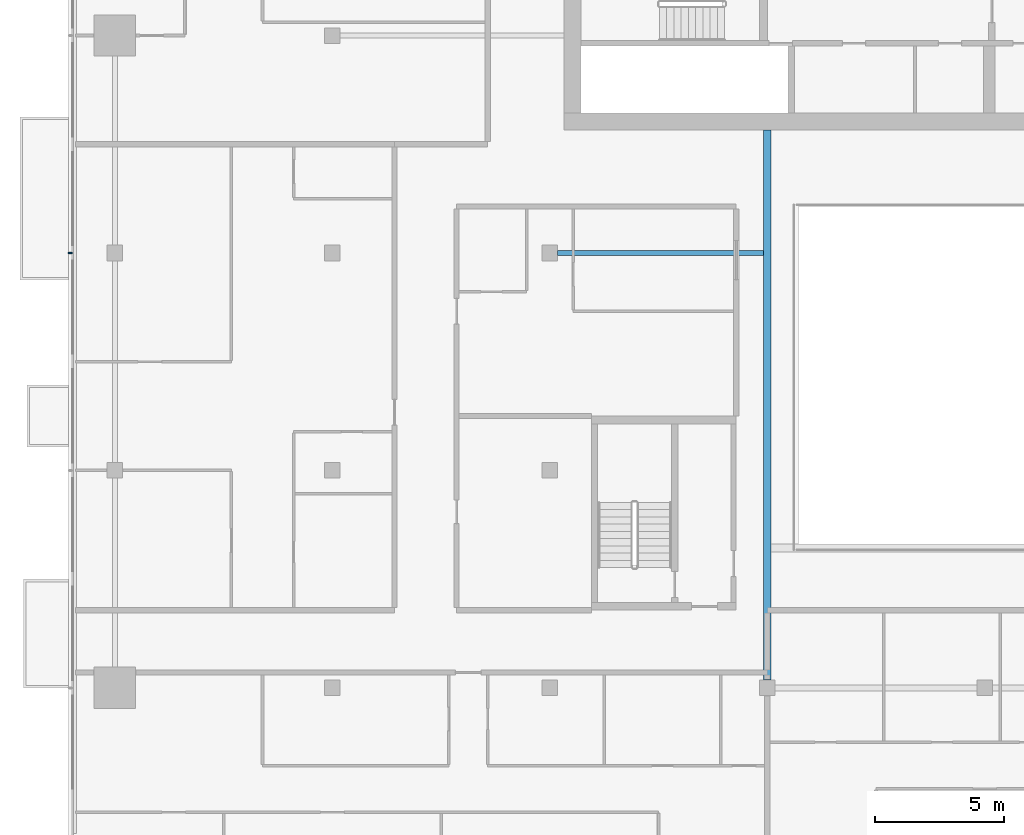
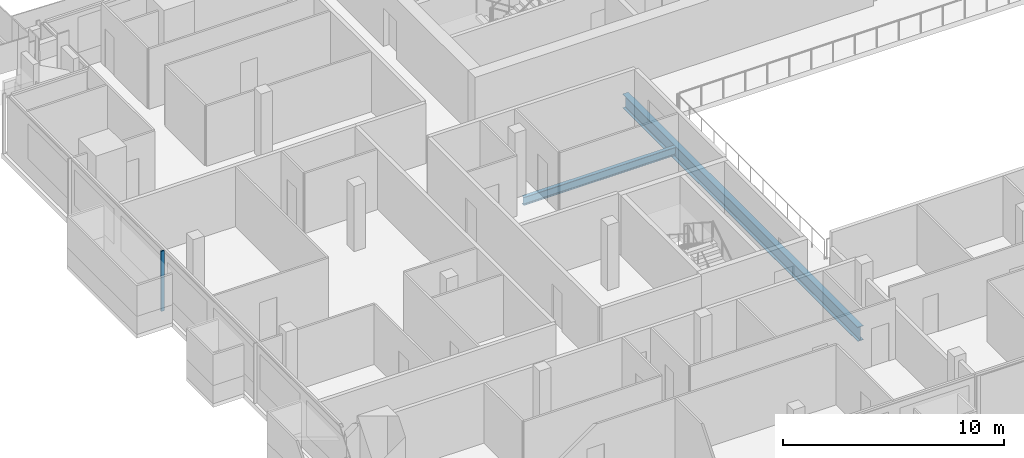
# One storey, part 4 of 30: 2 beams, 1 member, 1 element without a shape of its own.
"""IFC4 building model written with IfcOpenShell, lengths in metres."""

from ifc_helpers import new_model, si_unit, direction, frame, origin, origin_2d, place, context, subcontext, project, spatial, rectangle, i_section, extrude, material, material_profile, profile_set, type_object, element, aggregate, save


model = new_model("IFC4")

# Units and contexts
model_context = context("Model", 3, precision=1e-05, world=origin(), true_north=direction((0.0, 1.0)))
body_context = subcontext(model_context, "Body", "Model", "MODEL_VIEW")
ifc_project = project(units=[si_unit("LENGTHUNIT", "METRE"), si_unit("AREAUNIT", "SQUARE_METRE"), si_unit("VOLUMEUNIT", "CUBIC_METRE"), si_unit("PLANEANGLEUNIT", "RADIAN"), si_unit("MASSUNIT", "GRAM", prefix="KILO")], contexts=[model_context])

# Site, building, storey
site_placement = place(None, origin())
site = spatial("IfcSite", under=ifc_project, at=site_placement, CompositionType="ELEMENT")
building_placement = place(site_placement, origin())
building = spatial("IfcBuilding", under=site, at=building_placement, Name="Saffron Gate Tower", CompositionType="ELEMENT")
storey_placement = place(building_placement, frame((0.0, 0.0, 216.300048828125)))
storey = spatial("IfcBuildingStorey", under=building, at=storey_placement, Name="L52", CompositionType="ELEMENT", Elevation=216.300048828125)

# Beams
ifc_material_1 = material(Name="Structural steel S355", Category="steel")
ifc_material_profile_1 = material_profile(ifc_material_1, i_section(OverallWidth=0.300048828125, OverallDepth=0.7900390625, WebThickness=0.014892578125, FlangeThickness=0.028076171875, FilletRadius=0.030029296875, at=origin_2d()))
ifc_profile_set_1 = profile_set([ifc_material_profile_1], Name="Structural steel S355")
beam_type_1 = type_object("IfcBeamType", Name="B18 HEA 800", PredefinedType="BEAM", material=ifc_profile_set_1)
beam_1_placement = place(storey_placement, frame((75.0, 40.5, -0.675048828125), z_axis=(0.0, 1.0, 0.0), x_axis=(-1.0, 0.0, 0.0)))
element("IfcBeam", 1, at=beam_1_placement, inside=storey, type_object=beam_type_1, Name="B18 ATRIUM GIRDER", PredefinedType="BEAM", context=body_context, shape_type="SweptSolid", body=[
    extrude(i_section(OverallWidth=0.300048828125, OverallDepth=0.7900390625, WebThickness=0.014892578125, FlangeThickness=0.028076171875, FilletRadius=0.030029296875, at=origin_2d()), origin(), (0.0, 0.0, 1.0), 21.25),
])
ifc_material_profile_2 = material_profile(ifc_material_1, i_section(OverallWidth=0.18994140625, OverallDepth=0.449951171875, WebThickness=0.009521484375, FlangeThickness=0.0146484375, FilletRadius=0.02099609375, at=origin_2d()))
ifc_profile_set_2 = profile_set([ifc_material_profile_2], Name="Structural steel S355")
beam_type_2 = type_object("IfcBeamType", Name="B6 IPE 450", PredefinedType="BEAM", material=ifc_profile_set_2)
beam_2_placement = place(storey_placement, frame((66.89990234375, 57.0, -0.505126953125), z_axis=(1.0, 0.0, 0.0), x_axis=(0.0, 1.0, 0.0)))
element("IfcBeam", 2, at=beam_2_placement, inside=storey, type_object=beam_type_2, Name="B6 CORE TIE BEAM", PredefinedType="BEAM", context=body_context, shape_type="SweptSolid", body=[
    extrude(i_section(OverallWidth=0.18994140625, OverallDepth=0.449951171875, WebThickness=0.009521484375, FlangeThickness=0.0146484375, FilletRadius=0.02099609375, at=origin_2d()), origin(), (0.0, 0.0, 1.0), 7.9501953125),
])

# Curtain wall, member
ifc_material_2 = material(Name="Aluminium, bronze anodised", Category="aluminium")
curtain_wall_type = type_object("IfcCurtainWallType", Name="CWS2 curtain wall side facades", PredefinedType="NOTDEFINED", material=ifc_material_2)
curtain_wall_placement = place(storey_placement, origin())
curtain_wall = element("IfcCurtainWall", 3, at=curtain_wall_placement, inside=storey, type_object=curtain_wall_type, Name="CWS2 run 10", PredefinedType="NOTDEFINED")
ifc_material_profile_3 = material_profile(ifc_material_2, rectangle(XDim=0.159912109375, YDim=0.06005859375, at=origin_2d()))
ifc_profile_set_3 = profile_set([ifc_material_profile_3], Name="Aluminium, bronze anodised")
member_type = type_object("IfcMemberType", Name="CWS2 mullion 60x160", PredefinedType="MULLION", material=ifc_profile_set_3)
member_placement = place(storey_placement, frame((48.080078125, 57.0, 0.0), z_axis=(0.0, 0.0, 1.0), x_axis=(1.0, 0.0, 0.0)))
member = element("IfcMember", 4, at=member_placement, type_object=member_type, Name="CWS2 mullion 3", PredefinedType="MULLION", context=body_context, shape_type="SweptSolid", body=[
    extrude(rectangle(XDim=0.159912109375, YDim=0.06005859375, at=origin_2d()), origin(), (0.0, 0.0, 1.0), 3.320068359375),
])
aggregate(curtain_wall, [member])

save(model, "model.ifc")
